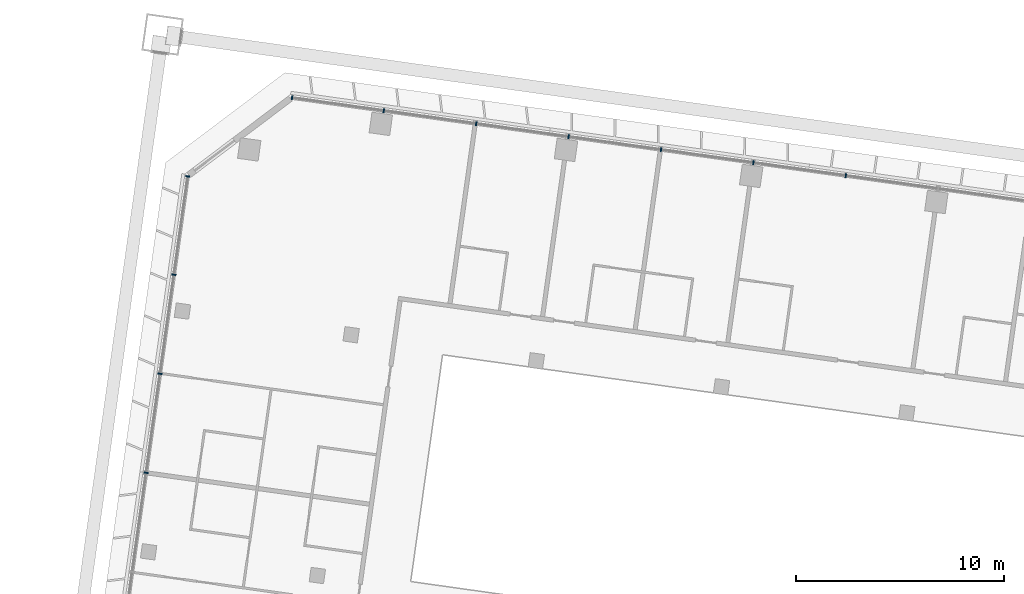
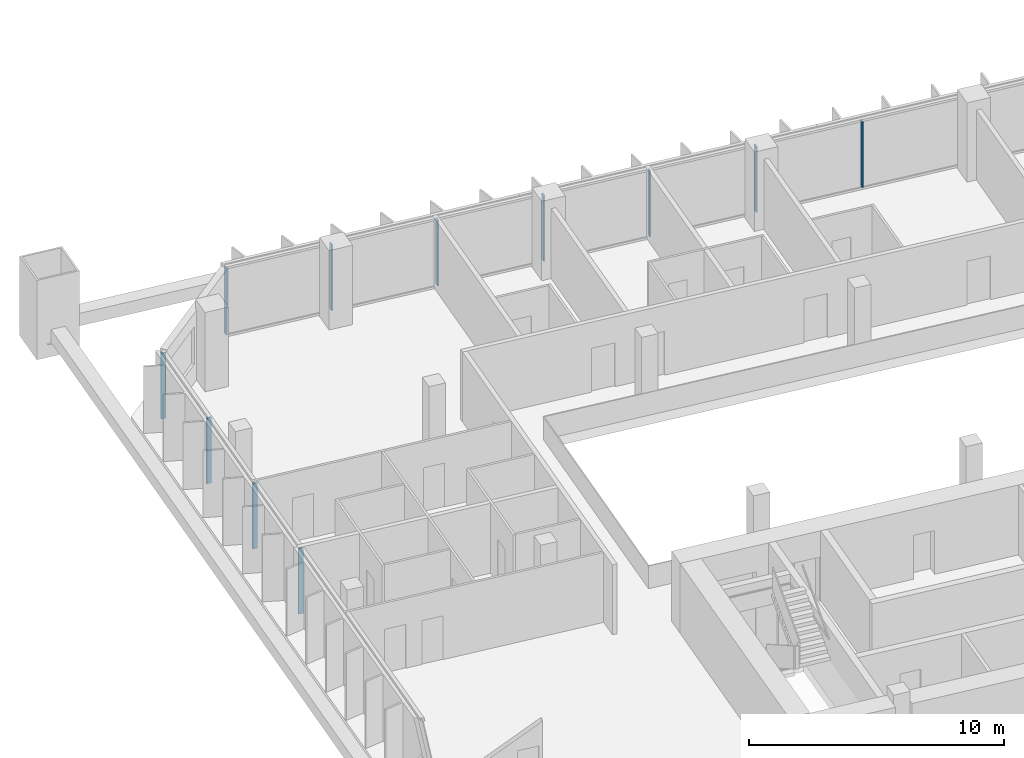
# One storey, part 6 of 46: 11 members, 2 elements without a shape of their own.
"""IFC4 building model written with IfcOpenShell, lengths in metres."""

from ifc_helpers import new_model, si_unit, direction, frame, origin, origin_2d, place, context, subcontext, project, spatial, rectangle, extrude, material, material_profile, profile_set, type_object, element, aggregate, save


model = new_model("IFC4")

# Units and contexts
model_context = context("Model", 3, precision=1e-05, world=origin(), true_north=direction((0.0, 1.0)))
body_context = subcontext(model_context, "Body", "Model", "MODEL_VIEW")
ifc_project = project(units=[si_unit("LENGTHUNIT", "METRE"), si_unit("AREAUNIT", "SQUARE_METRE"), si_unit("VOLUMEUNIT", "CUBIC_METRE"), si_unit("PLANEANGLEUNIT", "RADIAN"), si_unit("MASSUNIT", "GRAM", prefix="KILO")], contexts=[model_context])

# Site, building, storey
site_placement = place(None, origin())
site = spatial("IfcSite", under=ifc_project, at=site_placement, CompositionType="ELEMENT")
building_placement = place(site_placement, origin())
building = spatial("IfcBuilding", under=site, at=building_placement, Name="Mirante Cascada Hotel Towers", CompositionType="ELEMENT")
storey_placement = place(building_placement, frame((0.0, 0.0, 39.5)))
storey = spatial("IfcBuildingStorey", under=building, at=storey_placement, Name="L06", CompositionType="ELEMENT", Elevation=39.5)

# Curtain wall, members
ifc_material_1 = material(Name="Aluminium mullion and transom frame with clear laminated glass", Category="aluminium")
curtain_wall_type_1 = type_object("IfcCurtainWallType", Name="Ribbon curtain wall ECW1", PredefinedType="NOTDEFINED", material=ifc_material_1)
curtain_wall_1_placement = place(storey_placement, origin())
curtain_wall_1 = element("IfcCurtainWall", 1, at=curtain_wall_1_placement, inside=storey, type_object=curtain_wall_type_1, Name="Front ribbon wall T1 L06", PredefinedType="NOTDEFINED")
ifc_material_2 = material(Name="Anodised aluminium extrusion", Category="aluminium")
ifc_material_profile_1 = material_profile(ifc_material_2, rectangle(XDim=0.2, YDim=0.065, at=origin_2d()), Name="ECW1 MULLION 65x200")
ifc_profile_set_1 = profile_set([ifc_material_profile_1], Name="Anodised aluminium extrusion")
member_type_1 = type_object("IfcMemberType", Name="ECW1 mullion 65x200", PredefinedType="MULLION", material=ifc_profile_set_1)
member_1_placement = place(storey_placement, frame((-94.126, 26.0476, 0.1), z_axis=(0.0, 0.0, 1.0), x_axis=(0.1391731, 0.9902681, 0.0)))
member_1 = element("IfcMember", 2, at=member_1_placement, type_object=member_type_1, Name="ECW1 mullion 1", PredefinedType="MULLION", context=body_context, shape_type="SweptSolid", body=[
    extrude(rectangle(XDim=0.2, YDim=0.065, at=origin_2d()), origin(), (0.0, 0.0, 1.0), 3.15),
])
member_2_placement = place(storey_placement, frame((-89.7107, 25.427, 0.1), z_axis=(0.0, 0.0, 1.0), x_axis=(0.1391731, 0.9902681, 0.0)))
member_2 = element("IfcMember", 3, at=member_2_placement, type_object=member_type_1, Name="ECW1 mullion 2", PredefinedType="MULLION", context=body_context, shape_type="SweptSolid", body=[
    extrude(rectangle(XDim=0.2, YDim=0.065, at=origin_2d()), origin(), (0.0, 0.0, 1.0), 3.15),
])
member_3_placement = place(storey_placement, frame((-85.2633, 24.802, 0.1), z_axis=(0.0, 0.0, 1.0), x_axis=(0.1391731, 0.9902681, 0.0)))
member_3 = element("IfcMember", 4, at=member_3_placement, type_object=member_type_1, Name="ECW1 mullion 3", PredefinedType="MULLION", context=body_context, shape_type="SweptSolid", body=[
    extrude(rectangle(XDim=0.2, YDim=0.065, at=origin_2d()), origin(), (0.0, 0.0, 1.0), 3.15),
])
member_4_placement = place(storey_placement, frame((-80.8159, 24.177, 0.1), z_axis=(0.0, 0.0, 1.0), x_axis=(0.1391731, 0.9902681, 0.0)))
member_4 = element("IfcMember", 5, at=member_4_placement, type_object=member_type_1, Name="ECW1 mullion 4", PredefinedType="MULLION", context=body_context, shape_type="SweptSolid", body=[
    extrude(rectangle(XDim=0.2, YDim=0.065, at=origin_2d()), origin(), (0.0, 0.0, 1.0), 3.15),
])
member_5_placement = place(storey_placement, frame((-76.3685, 23.5519, 0.1), z_axis=(0.0, 0.0, 1.0), x_axis=(0.1391731, 0.9902681, 0.0)))
member_5 = element("IfcMember", 6, at=member_5_placement, type_object=member_type_1, Name="ECW1 mullion 5", PredefinedType="MULLION", context=body_context, shape_type="SweptSolid", body=[
    extrude(rectangle(XDim=0.2, YDim=0.065, at=origin_2d()), origin(), (0.0, 0.0, 1.0), 3.15),
])
member_6_placement = place(storey_placement, frame((-71.9211, 22.9269, 0.1), z_axis=(0.0, 0.0, 1.0), x_axis=(0.1391731, 0.9902681, 0.0)))
member_6 = element("IfcMember", 7, at=member_6_placement, type_object=member_type_1, Name="ECW1 mullion 6", PredefinedType="MULLION", context=body_context, shape_type="SweptSolid", body=[
    extrude(rectangle(XDim=0.2, YDim=0.065, at=origin_2d()), origin(), (0.0, 0.0, 1.0), 3.15),
])
member_7_placement = place(storey_placement, frame((-67.4737, 22.3018, 0.1), z_axis=(0.0, 0.0, 1.0), x_axis=(0.1391731, 0.9902681, 0.0)))
member_7 = element("IfcMember", 8, at=member_7_placement, type_object=member_type_1, Name="ECW1 mullion 7", PredefinedType="MULLION", context=body_context, shape_type="SweptSolid", body=[
    extrude(rectangle(XDim=0.2, YDim=0.065, at=origin_2d()), origin(), (0.0, 0.0, 1.0), 3.15),
])
aggregate(curtain_wall_1, [member_1, member_2, member_3, member_4, member_5, member_6, member_7])

ifc_material_3 = material(Name="Aluminium mullion and transom frame with clear laminated glass", Category="aluminium")
curtain_wall_type_2 = type_object("IfcCurtainWallType", Name="End ribbon curtain wall ECW2", PredefinedType="NOTDEFINED", material=ifc_material_3)
curtain_wall_2_placement = place(storey_placement, origin())
curtain_wall_2 = element("IfcCurtainWall", 9, at=curtain_wall_2_placement, inside=storey, type_object=curtain_wall_type_2, Name="Outer end wall T1 L06", PredefinedType="NOTDEFINED")
ifc_material_4 = material(Name="Anodised aluminium extrusion", Category="aluminium")
ifc_material_profile_2 = material_profile(ifc_material_4, rectangle(XDim=0.2, YDim=0.065, at=origin_2d()), Name="ECW2 MULLION 65x200")
ifc_profile_set_2 = profile_set([ifc_material_profile_2], Name="Anodised aluminium extrusion")
member_type_2 = type_object("IfcMemberType", Name="ECW2 mullion 65x200", PredefinedType="MULLION", material=ifc_profile_set_2)
member_8_placement = place(storey_placement, frame((-101.1508, 7.9996, 0.1), z_axis=(0.0, 0.0, 1.0), x_axis=(-0.9902681, 0.1391731, 0.0)))
member_8 = element("IfcMember", 10, at=member_8_placement, type_object=member_type_2, Name="ECW2 mullion 4", PredefinedType="MULLION", context=body_context, shape_type="SweptSolid", body=[
    extrude(rectangle(XDim=0.2, YDim=0.065, at=origin_2d()), origin(), (0.0, 0.0, 1.0), 3.15),
])
member_9_placement = place(storey_placement, frame((-100.481, 12.7654, 0.1), z_axis=(0.0, 0.0, 1.0), x_axis=(-0.9902681, 0.1391731, 0.0)))
member_9 = element("IfcMember", 11, at=member_9_placement, type_object=member_type_2, Name="ECW2 mullion 5", PredefinedType="MULLION", context=body_context, shape_type="SweptSolid", body=[
    extrude(rectangle(XDim=0.2, YDim=0.065, at=origin_2d()), origin(), (0.0, 0.0, 1.0), 3.15),
])
member_10_placement = place(storey_placement, frame((-99.8112, 17.5312, 0.1), z_axis=(0.0, 0.0, 1.0), x_axis=(-0.9902681, 0.1391731, 0.0)))
member_10 = element("IfcMember", 12, at=member_10_placement, type_object=member_type_2, Name="ECW2 mullion 6", PredefinedType="MULLION", context=body_context, shape_type="SweptSolid", body=[
    extrude(rectangle(XDim=0.2, YDim=0.065, at=origin_2d()), origin(), (0.0, 0.0, 1.0), 3.15),
])
member_11_placement = place(storey_placement, frame((-99.1459, 22.2648, 0.1), z_axis=(0.0, 0.0, 1.0), x_axis=(-0.9902681, 0.1391731, 0.0)))
member_11 = element("IfcMember", 13, at=member_11_placement, type_object=member_type_2, Name="ECW2 mullion 7", PredefinedType="MULLION", context=body_context, shape_type="SweptSolid", body=[
    extrude(rectangle(XDim=0.2, YDim=0.065, at=origin_2d()), origin(), (0.0, 0.0, 1.0), 3.15),
])
aggregate(curtain_wall_2, [member_8, member_9, member_10, member_11])

save(model, "model.ifc")
